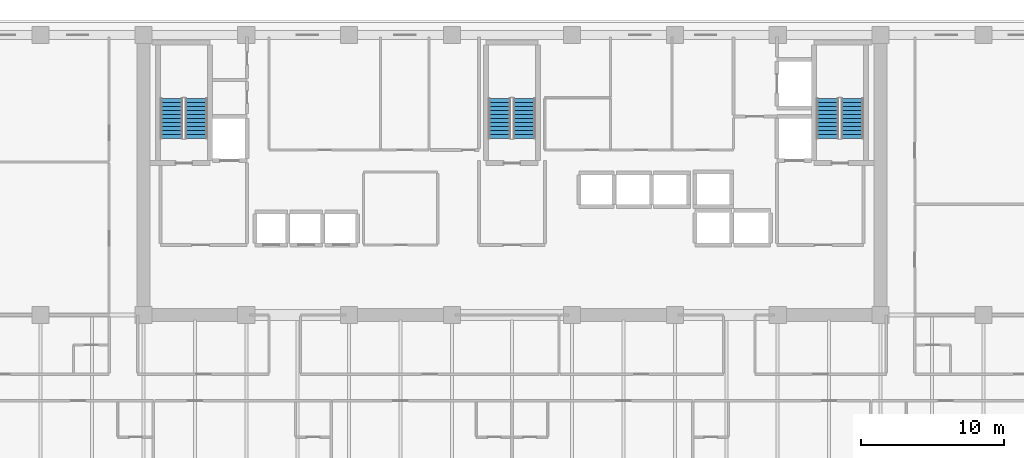
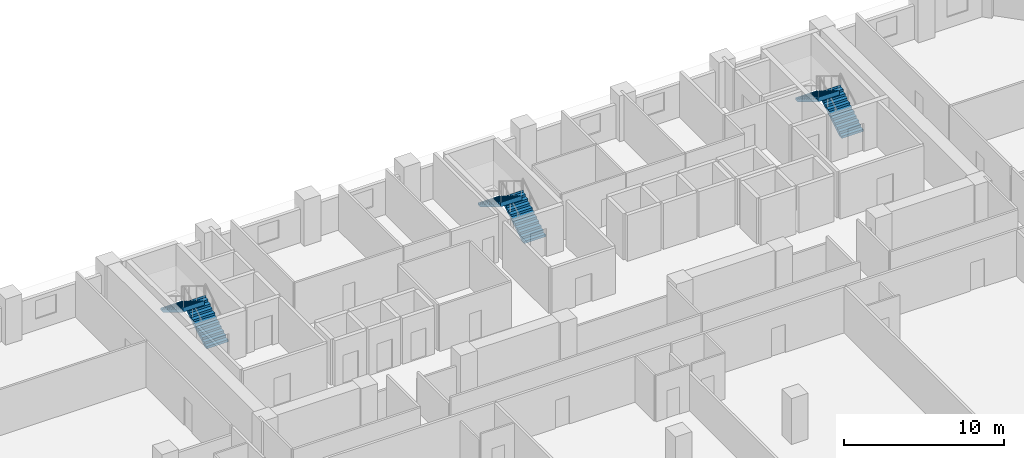
# One storey, part 11 of 15: 6 stair flights, 3 elements without a shape of their own.
"""IFC4 building model written with IfcOpenShell, lengths in metres."""

from ifc_helpers import new_model, si_unit, direction, frame, origin, place, context, subcontext, project, spatial, polyline, outline, extrude, material, type_object, element, aggregate, save


model = new_model("IFC4")

# Units and contexts
model_context = context("Model", 3, precision=1e-05, world=origin(), true_north=direction((0.0, 1.0)))
body_context = subcontext(model_context, "Body", "Model", "MODEL_VIEW")
ifc_project = project(units=[si_unit("LENGTHUNIT", "METRE"), si_unit("AREAUNIT", "SQUARE_METRE"), si_unit("VOLUMEUNIT", "CUBIC_METRE"), si_unit("PLANEANGLEUNIT", "RADIAN"), si_unit("MASSUNIT", "GRAM", prefix="KILO")], contexts=[model_context])

# Site, building, storey
site_placement = place(None, origin())
site = spatial("IfcSite", under=ifc_project, at=site_placement, CompositionType="ELEMENT")
building_placement = place(site_placement, origin())
building = spatial("IfcBuilding", under=site, at=building_placement, Name="Kaelvorn Grand Hotel", CompositionType="ELEMENT")
storey_placement = place(building_placement, frame((0.0, 0.0, 108.050048828125)))
storey = spatial("IfcBuildingStorey", under=building, at=storey_placement, Name="L25", CompositionType="ELEMENT", Elevation=108.050048828125)

# Stair, stair flights
ifc_material = material(Name="Concrete C40/50", Category="concrete")
stair_type = type_object("IfcStairType", Name="STR-DOG-1560-R06", PredefinedType="HALF_TURN_STAIR", material=ifc_material)
stair_1_placement = place(storey_placement, origin())
stair_1 = element("IfcStair", 1, at=stair_1_placement, inside=storey, type_object=stair_type, Name="L25 West Core Exit Stair ST1", PredefinedType="HALF_TURN_STAIR")
stair_flight_type = type_object("IfcStairFlightType", Name="FLG-DOG-1560-R06", PredefinedType="STRAIGHT", material=ifc_material)
stair_flight_1_placement = place(storey_placement, frame((19.89990234375, 41.760009765625, 0.0), z_axis=(0.0, 0.0, 1.0), x_axis=(0.0, 1.0, 0.0)))
stair_flight_1 = element("IfcStairFlight", 2, at=stair_flight_1_placement, type_object=stair_flight_type, Name="ST1 flight 1", NumberOfRisers=11, NumberOfTreads=10, PredefinedType="STRAIGHT", RiserHeight=0.170454545, TreadLength=0.28, context=body_context, shape_type="SweptSolid", body=[
    extrude(outline(polyline([(-0.0048828125, 0.0), (-0.0048828125, 0.0400390625), (0.0, 0.17041015625), (0.280029296875, 0.17041015625), (0.280029296875, 0.3408203125), (0.56005859375, 0.3408203125), (0.56005859375, 0.511474609375), (0.840087890625, 0.511474609375), (0.840087890625, 0.681884765625), (1.1201171875, 0.681884765625), (1.1201171875, 0.852294921875), (1.39990234375, 0.852294921875), (1.39990234375, 1.022705078125), (1.679931640625, 1.022705078125), (1.679931640625, 1.193115234375), (1.9599609375, 1.193115234375), (1.9599609375, 1.363525390625), (2.239990234375, 1.363525390625), (2.239990234375, 1.5341796875), (2.52001953125, 1.5341796875), (2.52001953125, 1.70458984375), (2.800048828125, 1.70458984375), (2.800048828125, 1.875), (2.804931640625, 1.875), (2.804931640625, 1.529052734375), (0.288330078125, 0.0), (-0.0048828125, 0.0)])), frame((0.0, 0.780029296875, 0.0), z_axis=(0.0, -1.0, 0.0), x_axis=(1.0, 0.0, 0.0)), (0.0, 0.0, 1.0), 1.56005859375),
])
stair_flight_2_placement = place(storey_placement, frame((18.179931640625, 44.56005859375, 1.875), z_axis=(0.0, 0.0, 1.0), x_axis=(0.0, -1.0, 0.0)))
stair_flight_2 = element("IfcStairFlight", 3, at=stair_flight_2_placement, type_object=stair_flight_type, Name="ST1 flight 2", NumberOfRisers=11, NumberOfTreads=10, PredefinedType="STRAIGHT", RiserHeight=0.170454545, TreadLength=0.28, context=body_context, shape_type="SweptSolid", body=[
    extrude(outline(polyline([(-0.0048828125, 0.0), (-0.0048828125, 0.0400390625), (0.0, 0.17041015625), (0.280029296875, 0.17041015625), (0.280029296875, 0.3408203125), (0.56005859375, 0.3408203125), (0.56005859375, 0.511474609375), (0.840087890625, 0.511474609375), (0.840087890625, 0.681884765625), (1.1201171875, 0.681884765625), (1.1201171875, 0.852294921875), (1.39990234375, 0.852294921875), (1.39990234375, 1.022705078125), (1.679931640625, 1.022705078125), (1.679931640625, 1.193115234375), (1.9599609375, 1.193115234375), (1.9599609375, 1.363525390625), (2.239990234375, 1.363525390625), (2.239990234375, 1.5341796875), (2.52001953125, 1.5341796875), (2.52001953125, 1.70458984375), (2.800048828125, 1.70458984375), (2.800048828125, 1.875), (2.804931640625, 1.875), (2.804931640625, 1.529052734375), (0.288330078125, 0.0), (-0.0048828125, 0.0)])), frame((0.0, 0.780029296875, 0.0), z_axis=(0.0, -1.0, 0.0), x_axis=(1.0, 0.0, 0.0)), (0.0, 0.0, 1.0), 1.56005859375),
])
aggregate(stair_1, [stair_flight_1, stair_flight_2])

stair_2_placement = place(storey_placement, origin())
stair_2 = element("IfcStair", 4, at=stair_2_placement, inside=storey, type_object=stair_type, Name="L25 Central Core Exit Stair ST2", PredefinedType="HALF_TURN_STAIR")
stair_flight_3_placement = place(storey_placement, frame((42.860107421875, 41.760009765625, 0.0), z_axis=(0.0, 0.0, 1.0), x_axis=(0.0, 1.0, 0.0)))
stair_flight_3 = element("IfcStairFlight", 5, at=stair_flight_3_placement, type_object=stair_flight_type, Name="ST2 flight 1", NumberOfRisers=11, NumberOfTreads=10, PredefinedType="STRAIGHT", RiserHeight=0.170454545, TreadLength=0.28, context=body_context, shape_type="SweptSolid", body=[
    extrude(outline(polyline([(-0.0048828125, 0.0), (-0.0048828125, 0.0400390625), (0.0, 0.17041015625), (0.280029296875, 0.17041015625), (0.280029296875, 0.3408203125), (0.56005859375, 0.3408203125), (0.56005859375, 0.511474609375), (0.840087890625, 0.511474609375), (0.840087890625, 0.681884765625), (1.1201171875, 0.681884765625), (1.1201171875, 0.852294921875), (1.39990234375, 0.852294921875), (1.39990234375, 1.022705078125), (1.679931640625, 1.022705078125), (1.679931640625, 1.193115234375), (1.9599609375, 1.193115234375), (1.9599609375, 1.363525390625), (2.239990234375, 1.363525390625), (2.239990234375, 1.5341796875), (2.52001953125, 1.5341796875), (2.52001953125, 1.70458984375), (2.800048828125, 1.70458984375), (2.800048828125, 1.875), (2.804931640625, 1.875), (2.804931640625, 1.529052734375), (0.288330078125, 0.0), (-0.0048828125, 0.0)])), frame((0.0, 0.780029296875, 0.0), z_axis=(0.0, -1.0, 0.0), x_axis=(1.0, 0.0, 0.0)), (0.0, 0.0, 1.0), 1.56005859375),
])
stair_flight_4_placement = place(storey_placement, frame((41.139892578125, 44.56005859375, 1.875), z_axis=(0.0, 0.0, 1.0), x_axis=(0.0, -1.0, 0.0)))
stair_flight_4 = element("IfcStairFlight", 6, at=stair_flight_4_placement, type_object=stair_flight_type, Name="ST2 flight 2", NumberOfRisers=11, NumberOfTreads=10, PredefinedType="STRAIGHT", RiserHeight=0.170454545, TreadLength=0.28, context=body_context, shape_type="SweptSolid", body=[
    extrude(outline(polyline([(-0.0048828125, 0.0), (-0.0048828125, 0.0400390625), (0.0, 0.17041015625), (0.280029296875, 0.17041015625), (0.280029296875, 0.3408203125), (0.56005859375, 0.3408203125), (0.56005859375, 0.511474609375), (0.840087890625, 0.511474609375), (0.840087890625, 0.681884765625), (1.1201171875, 0.681884765625), (1.1201171875, 0.852294921875), (1.39990234375, 0.852294921875), (1.39990234375, 1.022705078125), (1.679931640625, 1.022705078125), (1.679931640625, 1.193115234375), (1.9599609375, 1.193115234375), (1.9599609375, 1.363525390625), (2.239990234375, 1.363525390625), (2.239990234375, 1.5341796875), (2.52001953125, 1.5341796875), (2.52001953125, 1.70458984375), (2.800048828125, 1.70458984375), (2.800048828125, 1.875), (2.804931640625, 1.875), (2.804931640625, 1.529052734375), (0.288330078125, 0.0), (-0.0048828125, 0.0)])), frame((0.0, 0.780029296875, 0.0), z_axis=(0.0, -1.0, 0.0), x_axis=(1.0, 0.0, 0.0)), (0.0, 0.0, 1.0), 1.56005859375),
])
aggregate(stair_2, [stair_flight_3, stair_flight_4])

stair_3_placement = place(storey_placement, origin())
stair_3 = element("IfcStair", 7, at=stair_3_placement, inside=storey, type_object=stair_type, Name="L25 East Core Exit Stair ST3", PredefinedType="HALF_TURN_STAIR")
stair_flight_5_placement = place(storey_placement, frame((65.820068359375, 41.760009765625, 0.0), z_axis=(0.0, 0.0, 1.0), x_axis=(0.0, 1.0, 0.0)))
stair_flight_5 = element("IfcStairFlight", 8, at=stair_flight_5_placement, type_object=stair_flight_type, Name="ST3 flight 1", NumberOfRisers=11, NumberOfTreads=10, PredefinedType="STRAIGHT", RiserHeight=0.170454545, TreadLength=0.28, context=body_context, shape_type="SweptSolid", body=[
    extrude(outline(polyline([(-0.0048828125, 0.0), (-0.0048828125, 0.0400390625), (0.0, 0.17041015625), (0.280029296875, 0.17041015625), (0.280029296875, 0.3408203125), (0.56005859375, 0.3408203125), (0.56005859375, 0.511474609375), (0.840087890625, 0.511474609375), (0.840087890625, 0.681884765625), (1.1201171875, 0.681884765625), (1.1201171875, 0.852294921875), (1.39990234375, 0.852294921875), (1.39990234375, 1.022705078125), (1.679931640625, 1.022705078125), (1.679931640625, 1.193115234375), (1.9599609375, 1.193115234375), (1.9599609375, 1.363525390625), (2.239990234375, 1.363525390625), (2.239990234375, 1.5341796875), (2.52001953125, 1.5341796875), (2.52001953125, 1.70458984375), (2.800048828125, 1.70458984375), (2.800048828125, 1.875), (2.804931640625, 1.875), (2.804931640625, 1.529052734375), (0.288330078125, 0.0), (-0.0048828125, 0.0)])), frame((0.0, 0.780029296875, 0.0), z_axis=(0.0, -1.0, 0.0), x_axis=(1.0, 0.0, 0.0)), (0.0, 0.0, 1.0), 1.56005859375),
])
stair_flight_6_placement = place(storey_placement, frame((64.10009765625, 44.56005859375, 1.875), z_axis=(0.0, 0.0, 1.0), x_axis=(0.0, -1.0, 0.0)))
stair_flight_6 = element("IfcStairFlight", 9, at=stair_flight_6_placement, type_object=stair_flight_type, Name="ST3 flight 2", NumberOfRisers=11, NumberOfTreads=10, PredefinedType="STRAIGHT", RiserHeight=0.170454545, TreadLength=0.28, context=body_context, shape_type="SweptSolid", body=[
    extrude(outline(polyline([(-0.0048828125, 0.0), (-0.0048828125, 0.0400390625), (0.0, 0.17041015625), (0.280029296875, 0.17041015625), (0.280029296875, 0.3408203125), (0.56005859375, 0.3408203125), (0.56005859375, 0.511474609375), (0.840087890625, 0.511474609375), (0.840087890625, 0.681884765625), (1.1201171875, 0.681884765625), (1.1201171875, 0.852294921875), (1.39990234375, 0.852294921875), (1.39990234375, 1.022705078125), (1.679931640625, 1.022705078125), (1.679931640625, 1.193115234375), (1.9599609375, 1.193115234375), (1.9599609375, 1.363525390625), (2.239990234375, 1.363525390625), (2.239990234375, 1.5341796875), (2.52001953125, 1.5341796875), (2.52001953125, 1.70458984375), (2.800048828125, 1.70458984375), (2.800048828125, 1.875), (2.804931640625, 1.875), (2.804931640625, 1.529052734375), (0.288330078125, 0.0), (-0.0048828125, 0.0)])), frame((0.0, 0.780029296875, 0.0), z_axis=(0.0, -1.0, 0.0), x_axis=(1.0, 0.0, 0.0)), (0.0, 0.0, 1.0), 1.56005859375),
])
aggregate(stair_3, [stair_flight_5, stair_flight_6])

save(model, "model.ifc")
